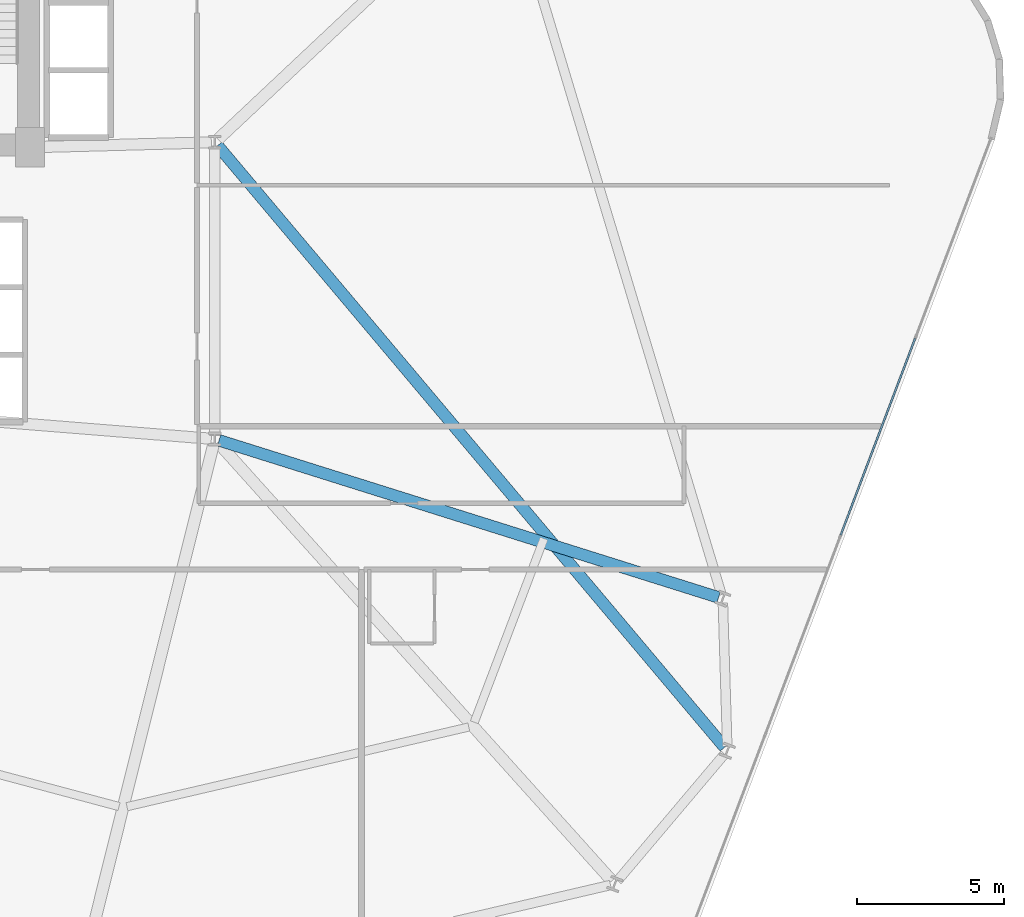
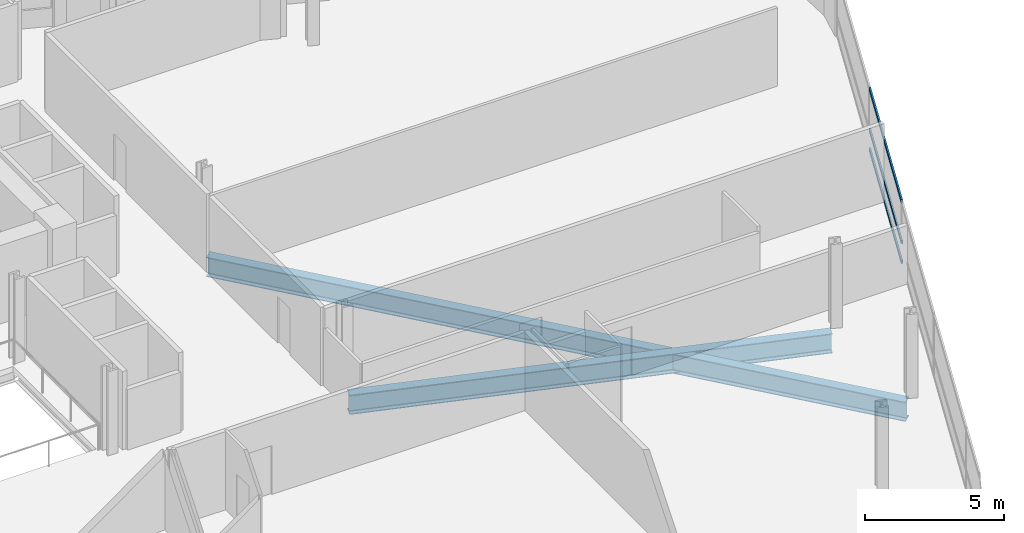
# One storey, part 13 of 25: 3 members, 2 beams, 1 element without a shape of its own.
"""IFC4 building model written with IfcOpenShell, lengths in metres."""

import ifcopenshell
import ifcopenshell.guid

model = None  # the IFC model being written
_history = None  # IfcOwnerHistory: only IFC2X3 demands one
_inside = {}  # id of a spatial element -> (the spatial element, [elements in it])
_under = {}  # id of a project, library or spatial element -> (it, [spatial elements below it])
_declared = {}  # id of a project -> (the project, [libraries it declares])
_typed = {}  # id of a type object -> (the type object, [elements of that type])
_made_of = {}  # id of a material, layer set ... -> (it, [elements and type objects made of it])


def new_model(schema):
    """Start an empty IFC model of exactly this schema.

    Asked for "IFC4X3", IfcOpenShell would pick the latest addendum, in which some entities
    have other attributes; the version numbers below select the first issue.
    IFC2X3 requires an IfcOwnerHistory on every rooted entity: one is made here for all.
    """
    global model, _history
    if schema == "IFC4X3":
        model = ifcopenshell.file(schema_version=(4, 3, 0, 0))
    else:
        model = ifcopenshell.file(schema=schema)
    _inside.clear()
    _under.clear()
    _declared.clear()
    _typed.clear()
    _made_of.clear()
    _history = None
    if model.schema == "IFC2X3":
        org = make("IfcOrganization", Name="unknown")
        user = make(
            "IfcPersonAndOrganization",
            ThePerson=make("IfcPerson", FamilyName="unknown"),
            TheOrganization=org,
        )
        app = make(
            "IfcApplication",
            ApplicationDeveloper=org,
            Version="unknown",
            ApplicationFullName="unknown",
            ApplicationIdentifier="unknown",
        )
        _history = make(
            "IfcOwnerHistory",
            OwningUser=user,
            OwningApplication=app,
            ChangeAction="ADDED",
            CreationDate=0,
        )
    return model


def make(cls, **values):
    """One entity of the class cls with the attributes given. An attribute that is None is left unset."""
    return model.create_entity(
        cls, **{name: value for name, value in values.items() if value is not None}
    )


def rooted(cls, **values):
    """An entity with a GlobalId (a new one), such as an element, a storey or a relation."""
    return make(cls, GlobalId=ifcopenshell.guid.new(), OwnerHistory=_history, **values)


def si_unit(unit_type, name, prefix=None):
    """IfcSIUnit, for example si_unit("LENGTHUNIT", "METRE", prefix="MILLI")."""
    return make("IfcSIUnit", UnitType=unit_type, Prefix=prefix, Name=name)


def assignment(units):
    """IfcUnitAssignment: the units of a project."""
    return None if units is None else make("IfcUnitAssignment", Units=units)


def point(xyz):
    """IfcCartesianPoint."""
    return None if xyz is None else make("IfcCartesianPoint", Coordinates=xyz)


def direction(xyz):
    """IfcDirection."""
    return None if xyz is None else make("IfcDirection", DirectionRatios=xyz)


def frame(location, z_axis=None, x_axis=None):
    """IfcAxis2Placement3D, a coordinate frame: its origin and axes. An axis left out is left unset."""
    return make(
        "IfcAxis2Placement3D",
        Location=point(location),
        Axis=direction(z_axis),
        RefDirection=direction(x_axis),
    )


def frame_2d(location, x_axis=None):
    """IfcAxis2Placement2D, a coordinate frame in the plane: its origin and x axis."""
    return make(
        "IfcAxis2Placement2D", Location=point(location), RefDirection=direction(x_axis)
    )


def origin():
    """The frame at (0, 0, 0) with its axes left unset."""
    return frame((0.0, 0.0, 0.0))


def origin_2d():
    """The frame at (0, 0) in the plane with its x axis left unset."""
    return frame_2d((0.0, 0.0))


def place(relative_to, where):
    """IfcLocalPlacement: puts the frame where relative to a parent placement (None: the world)."""
    return make(
        "IfcLocalPlacement", PlacementRelTo=relative_to, RelativePlacement=where
    )


def context(
    kind, dimensions, precision=None, world=None, true_north=None, identifier=None
):
    """IfcGeometricRepresentationContext, for example the 3D "Model" context."""
    return make(
        "IfcGeometricRepresentationContext",
        ContextIdentifier=identifier,
        ContextType=kind,
        CoordinateSpaceDimension=dimensions,
        Precision=precision,
        WorldCoordinateSystem=world,
        TrueNorth=true_north,
    )


def subcontext(parent, identifier, kind, view, scale=None):
    """IfcGeometricRepresentationSubContext, for example "Body" below "Model"."""
    return make(
        "IfcGeometricRepresentationSubContext",
        ContextIdentifier=identifier,
        ContextType=kind,
        ParentContext=parent,
        TargetScale=scale,
        TargetView=view,
    )


def project(units=None, contexts=None):
    """IfcProject with its units and contexts."""
    return rooted(
        "IfcProject",
        Name="project",
        RepresentationContexts=contexts,
        UnitsInContext=assignment(units),
    )


def spatial(cls, under=None, at=None, **own):
    """A site, building, storey or space (cls), placed at a placement, below another one or the project."""
    s = rooted(cls, ObjectPlacement=at, **own)
    if under is not None:
        _under.setdefault(under.id(), (under, []))[1].append(s)
    return s


def profile(cls, at=None, kind="AREA", **sizes):
    """A parametric profile (cls). Its sizes go by their IFC names, for example OverallWidth=200.0."""
    return make(cls, ProfileType=kind, Position=at, **sizes)


def hollow_rectangle(**sizes):
    """IfcRectangleHollowProfileDef."""
    return profile("IfcRectangleHollowProfileDef", **sizes)


def i_section(**sizes):
    """IfcIShapeProfileDef."""
    return profile("IfcIShapeProfileDef", **sizes)


def extrude(swept, where, along, depth):
    """IfcExtrudedAreaSolid: the profile swept, set in the frame where, extruded along a direction by depth."""
    return make(
        "IfcExtrudedAreaSolid",
        SweptArea=swept,
        Position=where,
        ExtrudedDirection=direction(along),
        Depth=depth,
    )


def shape(context_of_items, identifier, shape_type, items):
    """IfcShapeRepresentation: the items that make up one representation, for example the "Body"."""
    return make(
        "IfcShapeRepresentation",
        ContextOfItems=context_of_items,
        RepresentationIdentifier=identifier,
        RepresentationType=shape_type,
        Items=items,
    )


def material(Name=None, Category=None):
    """IfcMaterial."""
    return make("IfcMaterial", Name=Name, Category=Category)


def layer(
    of_material, thickness, ventilated=None, Name=None, Category=None, Priority=None
):
    """IfcMaterialLayer: one layer of a wall or slab, of a material (None: an air gap)."""
    return make(
        "IfcMaterialLayer",
        Material=of_material,
        LayerThickness=thickness,
        IsVentilated=ventilated,
        Name=Name,
        Category=Category,
        Priority=Priority,
    )


def layer_set(layers, Name=None):
    """IfcMaterialLayerSet."""
    return make("IfcMaterialLayerSet", MaterialLayers=layers, LayerSetName=Name)


def material_profile(
    of_material, cross_section, Name=None, Category=None, Priority=None
):
    """IfcMaterialProfile: a cross section and its material."""
    return make(
        "IfcMaterialProfile",
        Name=Name,
        Material=of_material,
        Profile=cross_section,
        Priority=Priority,
        Category=Category,
    )


def profile_set(profiles, Name=None, composite=None):
    """IfcMaterialProfileSet."""
    return make(
        "IfcMaterialProfileSet",
        Name=Name,
        MaterialProfiles=profiles,
        CompositeProfile=composite,
    )


def made_of(thing, what):
    """Note that an element or type object is made of a material, layer set ...; save() writes the relation."""
    if what is not None:
        _made_of.setdefault(what.id(), (what, []))[1].append(thing)
    return thing


def type_object(cls, material=None, **own):
    """A type object (cls), such as IfcWallType, which elements share."""
    return made_of(rooted(cls, **own), material)


def element(
    cls,
    number,
    at=None,
    inside=None,
    cuts=None,
    type_object=None,
    material=None,
    context=None,
    identifier="Body",
    shape_type=None,
    held_by="IfcProductDefinitionShape",
    body=None,
    shapes=None,
    **own,
):
    """One element of the class cls, such as IfcWall. Its Tag is "e" and its number.

    at: its placement. inside: the storey or other place that contains it. cuts: it is an
    opening in that element (IfcRelVoidsElement). A single representation is given by context,
    identifier, shape_type and body (its items); several are given by shapes. held_by: the class
    of the entity that holds the representations. save() writes the other relations.
    """
    e = rooted(cls, Tag="e%d" % number, ObjectPlacement=at, **own)
    if body is not None:
        shapes = [shape(context, identifier, shape_type, body)]
    if shapes is not None:
        e.Representation = make(held_by, Representations=shapes)
    if inside is not None:
        _inside.setdefault(inside.id(), (inside, []))[1].append(e)
    if cuts is not None:
        rooted(
            "IfcRelVoidsElement", RelatingBuildingElement=cuts, RelatedOpeningElement=e
        )
    if type_object is not None:
        _typed.setdefault(type_object.id(), (type_object, []))[1].append(e)
    return made_of(e, material)


def aggregate(whole, parts):
    """IfcRelAggregates: a whole, such as a stair, and the parts it consists of."""
    return rooted("IfcRelAggregates", RelatingObject=whole, RelatedObjects=parts)


def save(model, path):
    """Write the relations noted so far, then the file.

    IfcRelAggregates (storeys below a building ...), IfcRelContainedInSpatialStructure (elements
    in a storey), IfcRelDefinesByType, IfcRelAssociatesMaterial and IfcRelDeclares: one each for
    every whole, place, type object, material and project.
    """
    for whole, parts in _under.values():
        aggregate(whole, parts)
    for where, things in _inside.values():
        rooted(
            "IfcRelContainedInSpatialStructure",
            RelatedElements=things,
            RelatingStructure=where,
        )
    for kind, things in _typed.values():
        rooted("IfcRelDefinesByType", RelatedObjects=things, RelatingType=kind)
    for what, things in _made_of.values():
        rooted("IfcRelAssociatesMaterial", RelatedObjects=things, RelatingMaterial=what)
    for by, libraries in _declared.values():
        rooted("IfcRelDeclares", RelatingContext=by, RelatedDefinitions=libraries)
    model.write(path)


model = new_model("IFC4")

# Units and contexts
model_context = context("Model", 3, precision=1e-05, world=origin(), true_north=direction((0.0, 1.0)))
body_context = subcontext(model_context, "Body", "Model", "MODEL_VIEW")
ifc_project = project(units=[si_unit("LENGTHUNIT", "METRE"), si_unit("AREAUNIT", "SQUARE_METRE"), si_unit("VOLUMEUNIT", "CUBIC_METRE"), si_unit("PLANEANGLEUNIT", "RADIAN"), si_unit("MASSUNIT", "GRAM", prefix="KILO")], contexts=[model_context])

# Site, building, storey
site_placement = place(None, origin())
site = spatial("IfcSite", under=ifc_project, at=site_placement, CompositionType="ELEMENT")
building_placement = place(site_placement, origin())
building = spatial("IfcBuilding", under=site, at=building_placement, Name="Varnelok Gate Tower", CompositionType="ELEMENT")
storey_placement = place(building_placement, frame((0.0, 0.0, 91.0)))
storey = spatial("IfcBuildingStorey", under=building, at=storey_placement, Name="L22", CompositionType="ELEMENT", Elevation=91.0)

# Beams
ifc_material_1 = material(Name="Structural Steel ASTM A992 Grade 50", Category="steel")
ifc_material_profile_1 = material_profile(ifc_material_1, i_section(OverallWidth=0.39892578125, OverallDepth=0.85498046875, WebThickness=0.018310546875, FlangeThickness=0.029296875, FilletRadius=0.02392578125, at=origin_2d()), Name="W33X201")
ifc_profile_set_1 = profile_set([ifc_material_profile_1], Name="Structural Steel ASTM A992 Grade 50")
beam_type = type_object("IfcBeamType", Name="BM-PRI-W33X201", PredefinedType="BEAM", material=ifc_profile_set_1)
beam_1_placement = place(storey_placement, frame((54.0966796875, 28.805419921875, -0.677490234375), z_axis=(0.644241110533, -0.764822457502, 0.0), x_axis=(0.764822457502, 0.644241110533, 0.0)))
element("IfcBeam", 1, at=beam_1_placement, inside=storey, type_object=beam_type, Name="L22 Radial Floor Girder 7", PredefinedType="BEAM", context=body_context, shape_type="SweptSolid", body=[
    extrude(i_section(OverallWidth=0.39892578125, OverallDepth=0.85498046875, WebThickness=0.018310546875, FlangeThickness=0.029296875, FilletRadius=0.02392578125, at=origin_2d()), origin(), (0.0, 0.0, 1.0), 26.8271484375),
])
beam_2_placement = place(storey_placement, frame((54.14306640625, 18.7548828125, -0.677490234375), z_axis=(0.953948561039, -0.299970236678, 0.0), x_axis=(0.299970236678, 0.953948561039, 0.0)))
element("IfcBeam", 2, at=beam_2_placement, inside=storey, type_object=beam_type, Name="L22 Radial Floor Girder 8", PredefinedType="BEAM", context=body_context, shape_type="SweptSolid", body=[
    extrude(i_section(OverallWidth=0.39892578125, OverallDepth=0.85498046875, WebThickness=0.018310546875, FlangeThickness=0.029296875, FilletRadius=0.02392578125, at=origin_2d()), origin(), (0.0, 0.0, 1.0), 17.85498046875),
])

# Curtain wall, members
ifc_material_2 = material(Name="Anodized Aluminum Alloy 6063-T6", Category="aluminium")
ifc_layer = layer(ifc_material_2, 0.179931640625)
ifc_layer_set = layer_set([ifc_layer], Name="Anodized Aluminum Alloy 6063-T6")
curtain_wall_type = type_object("IfcCurtainWallType", Name="CW3-HOTEL-VISION", PredefinedType="USERDEFINED", material=ifc_layer_set)
curtain_wall_placement = place(storey_placement, origin())
curtain_wall = element("IfcCurtainWall", 3, at=curtain_wall_placement, inside=storey, type_object=curtain_wall_type, Name="L22 East End Vision Curtain Wall", ObjectType="UNITISED CURTAIN WALL", PredefinedType="USERDEFINED")
ifc_material_profile_2 = material_profile(ifc_material_2, hollow_rectangle(XDim=0.06494140625, YDim=0.159912109375, WallThickness=0.00390625, at=origin_2d()), Name="ALU160X65X4")
ifc_profile_set_2 = profile_set([ifc_material_profile_2], Name="Anodized Aluminum Alloy 6063-T6")
member_type = type_object("IfcMemberType", Name="CW-TRAN-160", PredefinedType="USERDEFINED", material=ifc_profile_set_2)
member_1_placement = place(storey_placement, frame((77.8798828125, 22.233642578125, 0.032470703125), z_axis=(-0.354048963644, -0.935226887628, 0.0), x_axis=(0.935226887628, -0.354048963644, 0.0)))
member_1 = element("IfcMember", 4, at=member_1_placement, type_object=member_type, Name="CW3 transom 2.1", ObjectType="TRANSOM", PredefinedType="USERDEFINED", context=body_context, shape_type="SweptSolid", body=[
    extrude(hollow_rectangle(XDim=0.06494140625, YDim=0.159912109375, WallThickness=0.00390625, at=origin_2d()), origin(), (0.0, 0.0, 1.0), 7.175048828125),
])
member_2_placement = place(storey_placement, frame((77.8798828125, 22.233642578125, 0.89990234375), z_axis=(-0.354048963644, -0.935226887628, 0.0), x_axis=(0.935226887628, -0.354048963644, 0.0)))
member_2 = element("IfcMember", 5, at=member_2_placement, type_object=member_type, Name="CW3 transom 2.2", ObjectType="TRANSOM", PredefinedType="USERDEFINED", context=body_context, shape_type="SweptSolid", body=[
    extrude(hollow_rectangle(XDim=0.06494140625, YDim=0.159912109375, WallThickness=0.00390625, at=origin_2d()), origin(), (0.0, 0.0, 1.0), 7.175048828125),
])
member_3_placement = place(storey_placement, frame((77.8798828125, 22.233642578125, 2.697509765625), z_axis=(-0.354048963644, -0.935226887628, 0.0), x_axis=(0.935226887628, -0.354048963644, 0.0)))
member_3 = element("IfcMember", 6, at=member_3_placement, type_object=member_type, Name="CW3 transom 2.3", ObjectType="TRANSOM", PredefinedType="USERDEFINED", context=body_context, shape_type="SweptSolid", body=[
    extrude(hollow_rectangle(XDim=0.06494140625, YDim=0.159912109375, WallThickness=0.00390625, at=origin_2d()), origin(), (0.0, 0.0, 1.0), 7.175048828125),
])
aggregate(curtain_wall, [member_1, member_2, member_3])

save(model, "model.ifc")
